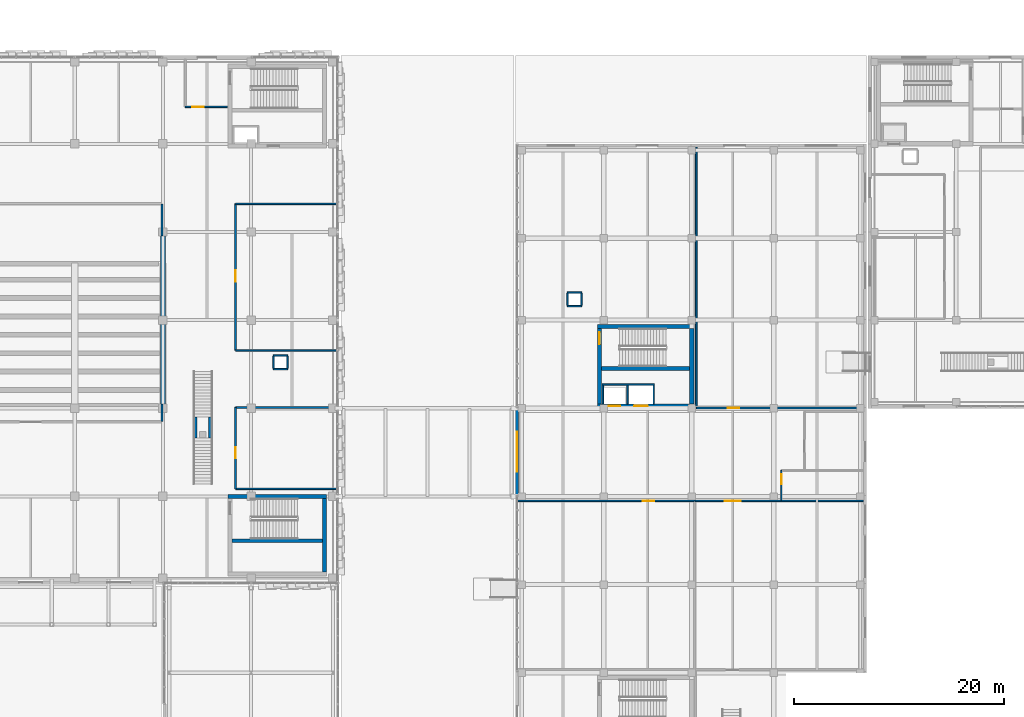
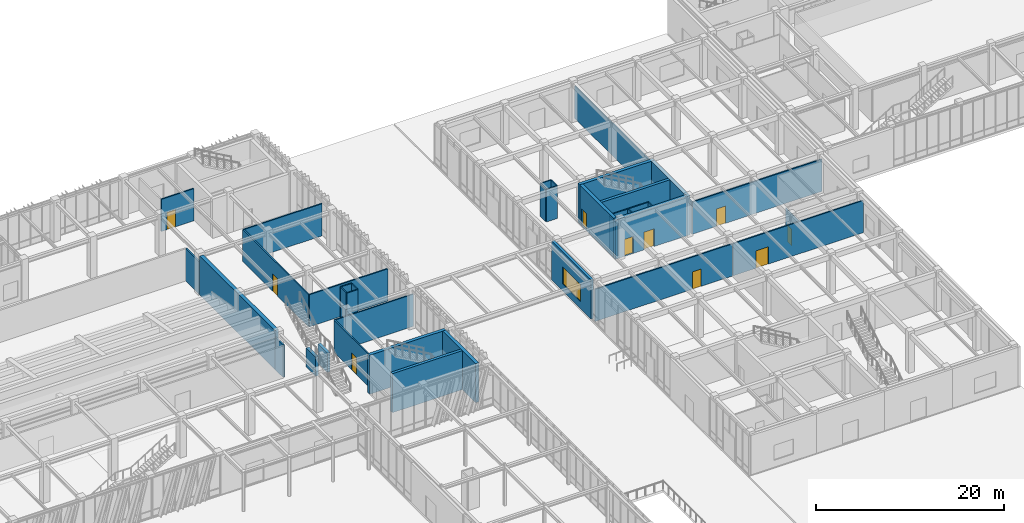
# One storey, part 98 of 122: 38 walls, 10 doors, 1 window, 11 openings.
"""IFC4 building model written with IfcOpenShell, lengths in metres."""

from ifc_helpers import new_model, si_unit, direction, frame, frame_2d, origin, place, context, subcontext, project, spatial, rectangle, extrude, material, layer, layer_set, type_object, element, fill, save


model = new_model("IFC4")

# Units and contexts
model_context = context("Model", 3, precision=1e-05, world=origin(), true_north=direction((0.0, 1.0)))
body_context = subcontext(model_context, "Body", "Model", "MODEL_VIEW")
ifc_project = project(units=[si_unit("LENGTHUNIT", "METRE"), si_unit("AREAUNIT", "SQUARE_METRE"), si_unit("VOLUMEUNIT", "CUBIC_METRE"), si_unit("PLANEANGLEUNIT", "RADIAN"), si_unit("MASSUNIT", "GRAM", prefix="KILO")], contexts=[model_context])

# Site, building, storey
site_placement = place(None, origin())
site = spatial("IfcSite", under=ifc_project, at=site_placement, CompositionType="ELEMENT")
building_placement = place(site_placement, origin())
building = spatial("IfcBuilding", under=site, at=building_placement, Name="Zayran Congress Hotel", CompositionType="ELEMENT")
storey_placement = place(building_placement, origin())
storey = spatial("IfcBuildingStorey", under=building, at=storey_placement, Name="L00", CompositionType="ELEMENT", Elevation=0.0)

# Wall
ifc_material_1 = material(Name="Concrete C32/40", Category="concrete")
ifc_layer_1 = layer(ifc_material_1, 0.449951171875)
ifc_layer_set_1 = layer_set([ifc_layer_1], Name="Concrete C32/40")
wall_type_1 = type_object("IfcWallType", Name="WL-RT-450", PredefinedType="USERDEFINED", material=ifc_layer_set_1)
wall_1_placement = place(storey_placement, frame((75.60009765625, 84.800048828125, 0.0), z_axis=(0.0, 0.0, 1.0), x_axis=(0.0, 1.0, 0.0)))
element("IfcWall", 1, at=wall_1_placement, inside=storey, type_object=wall_type_1, Name="RKWALL-L00-SIDE-E", ObjectType="RETAININGWALL", PredefinedType="USERDEFINED", context=body_context, shape_type="SweptSolid", body=[
    extrude(rectangle(XDim=16.0, YDim=0.449951171875, at=frame_2d((8.0, 0.0))), origin(), (0.0, 0.0, 1.0), 5.080078125),
])

# Wall, opening, window
ifc_material_2 = material(Name="Ajlun white limestone and insulated concrete C32/40", Category="masonry")
ifc_layer_2 = layer(ifc_material_2, 0.300048828125)
ifc_layer_set_2 = layer_set([ifc_layer_2], Name="Ajlun white limestone and insulated concrete C32/40")
wall_type_2 = type_object("IfcWallType", Name="WL-EX-300", PredefinedType="SOLIDWALL", material=ifc_layer_set_2)
wall_2_placement = place(storey_placement, frame((109.35009765625, 76.074951171875, 0.0), z_axis=(0.0, 0.0, 1.0), x_axis=(0.0, 1.0, 0.0)))
wall_2 = element("IfcWall", 2, at=wall_2_placement, inside=storey, type_object=wall_type_2, Name="EW-V4-W-L00-4", PredefinedType="SOLIDWALL", context=body_context, shape_type="SweptSolid", body=[
    extrude(rectangle(XDim=8.381103515625, YDim=0.300048828125, at=frame_2d((4.1904296875, 0.0))), origin(), (0.0, 0.0, 1.0), 5.10009765625),
])
opening_1_placement = place(wall_2_placement, frame((2.291015625, 0.0, 0.89990234375)))
opening_1 = element("IfcOpeningElement", 3, at=opening_1_placement, cuts=wall_2, Name="Opening WN-46", PredefinedType="OPENING", context=body_context, shape_type="SweptSolid", body=[
    extrude(rectangle(XDim=3.800048828125, YDim=2.25, at=frame_2d((1.89990234375, 1.125))), frame((0.0, 0.159912109375, 0.0), z_axis=(0.0, -1.0, 0.0), x_axis=(1.0, 0.0, 0.0)), (0.0, 0.0, 1.0), 0.320068359375),
])
ifc_material_3 = material(Name="Anodised aluminium and low-E insulated glass", Category="aluminium")
window_type = type_object("IfcWindowType", Name="TP-WN-46", PartitioningType="TRIPLE_PANEL_VERTICAL", PredefinedType="WINDOW", material=ifc_material_3)
window_placement = place(opening_1_placement, origin())
window = element("IfcWindow", 4, at=window_placement, inside=storey, type_object=window_type, Name="WIN-V4-0112", OverallHeight=2.25, OverallWidth=3.800048828125, PartitioningType="SINGLE_PANEL", PredefinedType="WINDOW", context=body_context, shape_type="SweptSolid", body=[
    extrude(rectangle(XDim=3.800048828125, YDim=2.25, at=frame_2d((1.89990234375, 1.125))), frame((0.0, 0.030029296875, 0.0), z_axis=(0.0, -1.0, 0.0), x_axis=(1.0, 0.0, 0.0)), (0.0, 0.0, 1.0), 0.06005859375),
])
fill(opening_1, window)

# Walls
ifc_material_4 = material(Name="Concrete C40/50", Category="concrete")
ifc_layer_3 = layer(ifc_material_4, 0.39990234375)
ifc_layer_set_3 = layer_set([ifc_layer_3], Name="Concrete C40/50")
wall_type_3 = type_object("IfcWallType", Name="WL-SH-400", PredefinedType="SHEAR", material=ifc_layer_set_3)
wall_3_placement = place(storey_placement, frame((91.199951171875, 75.985107421875, 0.0), z_axis=(0.0, 0.0, 1.0), x_axis=(-1.0, 0.0, 0.0)))
element("IfcWall", 5, at=wall_3_placement, inside=storey, type_object=wall_type_3, Name="CWALL-C-V1F-L00-N", PredefinedType="SHEAR", context=body_context, shape_type="SweptSolid", body=[
    extrude(rectangle(XDim=9.39990234375, YDim=0.39990234375, at=frame_2d((4.699951171875, 0.0))), origin(), (0.0, 0.0, 1.0), 5.080078125),
])
wall_4_placement = place(storey_placement, frame((91.0, 68.800048828125, 0.0), z_axis=(0.0, 0.0, 1.0), x_axis=(0.0, 1.0, 0.0)))
element("IfcWall", 6, at=wall_4_placement, inside=storey, type_object=wall_type_3, Name="CWALL-C-V1F-L00-E", PredefinedType="SHEAR", context=body_context, shape_type="SweptSolid", body=[
    extrude(rectangle(XDim=7.0, YDim=0.39990234375, at=frame_2d((3.5, 0.0))), origin(), (0.0, 0.0, 1.0), 5.080078125),
])

# Wall, openings, doors
wall_5_placement = place(storey_placement, frame((117.0, 84.60009765625, 0.0), z_axis=(0.0, 0.0, 1.0), x_axis=(1.0, 0.0, 0.0)))
wall_5 = element("IfcWall", 7, at=wall_5_placement, inside=storey, type_object=wall_type_3, Name="CWALL-C-V4N-L00-S", PredefinedType="SHEAR", context=body_context, shape_type="SweptSolid", body=[
    extrude(rectangle(XDim=9.199951171875, YDim=0.39990234375, at=frame_2d((4.60009765625, 0.0))), origin(), (0.0, 0.0, 1.0), 5.080078125),
])
opening_2_placement = place(wall_5_placement, frame((1.10009765625, 0.0, 0.0)))
opening_2 = element("IfcOpeningElement", 8, at=opening_2_placement, cuts=wall_5, Name="Opening LD-PL06", PredefinedType="OPENING", context=body_context, shape_type="SweptSolid", body=[
    extrude(rectangle(XDim=1.10009765625, YDim=2.199951171875, at=frame_2d((0.550048828125, 1.10009765625))), frame((0.0, 0.2099609375, 0.0), z_axis=(0.0, -1.0, 0.0), x_axis=(1.0, 0.0, 0.0)), (0.0, 0.0, 1.0), 0.419921875),
])
opening_3_placement = place(wall_5_placement, frame((3.5, 0.0, 0.0)))
opening_3 = element("IfcOpeningElement", 9, at=opening_3_placement, cuts=wall_5, Name="Opening LD-SV02", PredefinedType="OPENING", context=body_context, shape_type="SweptSolid", body=[
    extrude(rectangle(XDim=1.300048828125, YDim=2.300048828125, at=frame_2d((0.64990234375, 1.14990234375))), frame((0.0, 0.2099609375, 0.0), z_axis=(0.0, -1.0, 0.0), x_axis=(1.0, 0.0, 0.0)), (0.0, 0.0, 1.0), 0.419921875),
])
ifc_material_5 = material(Name="Brushed stainless steel sliding lift landing door", Category="steel")
door_type_1 = type_object("IfcDoorType", Name="TP-DR-LD-01", OperationType="DOUBLE_DOOR_SLIDING", PredefinedType="DOOR", material=ifc_material_5)
door_1_placement = place(opening_2_placement, origin())
door_1 = element("IfcDoor", 10, at=door_1_placement, inside=storey, type_object=door_type_1, Name="Lift PL-06 Sliding Landing Door L00", OperationType="DOUBLE_DOOR_SLIDING", OverallHeight=2.199951171875, OverallWidth=1.10009765625, PredefinedType="DOOR", context=body_context, shape_type="SweptSolid", body=[
    extrude(rectangle(XDim=1.10009765625, YDim=2.199951171875, at=frame_2d((0.550048828125, 1.10009765625))), frame((0.0, 0.02490234375, 0.0), z_axis=(0.0, -1.0, 0.0), x_axis=(1.0, 0.0, 0.0)), (0.0, 0.0, 1.0), 0.050048828125),
])
fill(opening_2, door_1)
ifc_material_6 = material(Name="Heavy-duty stainless steel service lift landing door", Category="steel")
door_type_2 = type_object("IfcDoorType", Name="TP-DR-LD-03", OperationType="DOUBLE_DOOR_SLIDING", PredefinedType="DOOR", material=ifc_material_6)
door_2_placement = place(opening_3_placement, origin())
door_2 = element("IfcDoor", 11, at=door_2_placement, inside=storey, type_object=door_type_2, Name="Lift SV-02 Sliding Landing Door L00", OperationType="DOUBLE_DOOR_SLIDING", OverallHeight=2.300048828125, OverallWidth=1.300048828125, PredefinedType="DOOR", context=body_context, shape_type="SweptSolid", body=[
    extrude(rectangle(XDim=1.300048828125, YDim=2.300048828125, at=frame_2d((0.64990234375, 1.14990234375))), frame((0.0, 0.02490234375, 0.0), z_axis=(0.0, -1.0, 0.0), x_axis=(1.0, 0.0, 0.0)), (0.0, 0.0, 1.0), 0.050048828125),
])
fill(opening_3, door_2)

# Wall
wall_6_placement = place(storey_placement, frame((126.199951171875, 92.18505859375, 0.0), z_axis=(0.0, 0.0, 1.0), x_axis=(-1.0, 0.0, 0.0)))
element("IfcWall", 12, at=wall_6_placement, inside=storey, type_object=wall_type_3, Name="CWALL-C-V4N-L00-N", PredefinedType="SHEAR", context=body_context, shape_type="SweptSolid", body=[
    extrude(rectangle(XDim=9.199951171875, YDim=0.39990234375, at=frame_2d((4.60009765625, 0.0))), origin(), (0.0, 0.0, 1.0), 5.080078125),
])

# Wall, opening, door
wall_7_placement = place(storey_placement, frame((117.199951171875, 92.0, 0.0), z_axis=(0.0, 0.0, 1.0), x_axis=(0.0, -1.0, 0.0)))
wall_7 = element("IfcWall", 13, at=wall_7_placement, inside=storey, type_object=wall_type_3, Name="CWALL-C-V4N-L00-W", PredefinedType="SHEAR", context=body_context, shape_type="SweptSolid", body=[
    extrude(rectangle(XDim=7.199951171875, YDim=0.39990234375, at=frame_2d((3.60009765625, 0.0))), origin(), (0.0, 0.0, 1.0), 5.080078125),
])
opening_4_placement = place(wall_7_placement, frame((0.35009765625, 0.0, 0.0)))
opening_4 = element("IfcOpeningElement", 14, at=opening_4_placement, cuts=wall_7, Name="Opening DR-FD-90", PredefinedType="OPENING", context=body_context, shape_type="SweptSolid", body=[
    extrude(rectangle(XDim=1.14990234375, YDim=2.199951171875, at=frame_2d((0.574951171875, 1.10009765625))), frame((0.0, 0.2099609375, 0.0), z_axis=(0.0, -1.0, 0.0), x_axis=(1.0, 0.0, 0.0)), (0.0, 0.0, 1.0), 0.419921875),
])
ifc_material_7 = material(Name="Painted steel fire door assembly", Category="steel")
door_type_3 = type_object("IfcDoorType", Name="TP-DR-FD-90", OperationType="NOTDEFINED", PredefinedType="DOOR", material=ifc_material_7)
door_3_placement = place(opening_4_placement, origin())
door_3 = element("IfcDoor", 15, at=door_3_placement, inside=storey, type_object=door_type_3, Name="ST-07 Exit Stair Door L00", OperationType="SINGLE_SWING_LEFT", OverallHeight=2.199951171875, OverallWidth=1.14990234375, PredefinedType="DOOR", context=body_context, shape_type="SweptSolid", body=[
    extrude(rectangle(XDim=1.14990234375, YDim=2.199951171875, at=frame_2d((0.574951171875, 1.10009765625))), frame((0.0, 0.02490234375, 0.0), z_axis=(0.0, -1.0, 0.0), x_axis=(1.0, 0.0, 0.0)), (0.0, 0.0, 1.0), 0.050048828125),
])
fill(opening_4, door_3)

# Walls
wall_8_placement = place(storey_placement, frame((126.0, 84.800048828125, 0.0), z_axis=(0.0, 0.0, 1.0), x_axis=(0.0, 1.0, 0.0)))
element("IfcWall", 16, at=wall_8_placement, inside=storey, type_object=wall_type_3, Name="CWALL-C-V4N-L00-E", PredefinedType="SHEAR", context=body_context, shape_type="SweptSolid", body=[
    extrude(rectangle(XDim=7.199951171875, YDim=0.39990234375, at=frame_2d((3.60009765625, 0.0))), origin(), (0.0, 0.0, 1.0), 5.080078125),
])
ifc_layer_4 = layer(ifc_material_4, 0.35009765625)
ifc_layer_set_4 = layer_set([ifc_layer_4], Name="Concrete C40/50")
wall_type_4 = type_object("IfcWallType", Name="WL-SH-350", PredefinedType="SHEAR", material=ifc_layer_set_4)
wall_9_placement = place(storey_placement, frame((82.199951171875, 71.784912109375, 0.0), z_axis=(0.0, 0.0, 1.0), x_axis=(1.0, 0.0, 0.0)))
element("IfcWall", 17, at=wall_9_placement, inside=storey, type_object=wall_type_4, Name="CWALL-C-V1F-L00-SPN", PredefinedType="SHEAR", context=body_context, shape_type="SweptSolid", body=[
    extrude(rectangle(XDim=8.60009765625, YDim=0.35009765625, at=frame_2d((4.300048828125, 0.0))), origin(), (0.0, 0.0, 1.0), 5.080078125),
])
wall_10_placement = place(storey_placement, frame((117.39990234375, 88.18505859375, 0.0), z_axis=(0.0, 0.0, 1.0), x_axis=(1.0, 0.0, 0.0)))
element("IfcWall", 18, at=wall_10_placement, inside=storey, type_object=wall_type_4, Name="CWALL-C-V4N-L00-SPN", PredefinedType="SHEAR", context=body_context, shape_type="SweptSolid", body=[
    extrude(rectangle(XDim=8.400146484375, YDim=0.35009765625, at=frame_2d((4.2001953125, 0.0))), origin(), (0.0, 0.0, 1.0), 5.080078125),
])
for number, where, z_axis, x_axis, name in (
    (19, (80.125, 81.550048828125, 0.0), (0.0, 0.0, 1.0), (0.0, 1.0, 0.0), "VWALL-SUP-02-R"),
    (20, (78.675048828125, 81.550048828125, 0.0), (0.0, 0.0, 1.0), (0.0, 1.0, 0.0), "VWALL-SUP-02-L"),
):
    element("IfcWall", number, at=place(storey_placement, frame(where, z_axis=z_axis, x_axis=x_axis)), inside=storey, type_object=wall_type_4, Name=name, PredefinedType="SHEAR", context=body_context, shape_type="SweptSolid", body=[
        extrude(rectangle(XDim=2.0, YDim=0.35009765625, at=frame_2d((1.0, 0.0))), origin(), (0.0, 0.0, 1.0), 2.5),
    ])
ifc_material_8 = material(Name="Concrete C32/40 acoustic masonry", Category="masonry")
ifc_layer_5 = layer(ifc_material_8, 0.199951171875)
ifc_layer_set_5 = layer_set([ifc_layer_5], Name="Concrete C32/40 acoustic masonry")
wall_type_5 = type_object("IfcWallType", Name="WL-SL-200", PredefinedType="SOLIDWALL", material=ifc_layer_set_5)
wall_11_placement = place(storey_placement, frame((75.5, 83.1201171875, 0.0), z_axis=(0.0, 0.0, 1.0), x_axis=(0.0, 1.0, 0.0)))
element("IfcWall", 21, at=wall_11_placement, inside=storey, type_object=wall_type_5, Name="IW-L00-1654", PredefinedType="SOLIDWALL", context=body_context, shape_type="SweptSolid", body=[
    extrude(rectangle(XDim=1.679931640625, YDim=0.199951171875, at=frame_2d((0.83984375, 0.0))), origin(), (0.0, 0.0, 1.0), 4.179931640625),
])
wall_12_placement = place(storey_placement, frame((75.5, 100.800048828125, 0.0), z_axis=(0.0, 0.0, 1.0), x_axis=(0.0, 1.0, 0.0)))
element("IfcWall", 22, at=wall_12_placement, inside=storey, type_object=wall_type_5, Name="IW-L00-1656", PredefinedType="SOLIDWALL", context=body_context, shape_type="SweptSolid", body=[
    extrude(rectangle(XDim=3.079833984375, YDim=0.199951171875, at=frame_2d((1.5400390625, 0.0))), origin(), (0.0, 0.0, 1.0), 4.179931640625),
])

# Wall, opening, door
ifc_material_9 = material(Name="Acoustic twin-stud gypsum partition", Category="gypsum")
ifc_layer_6 = layer(ifc_material_9, 0.159912109375)
ifc_layer_set_6 = layer_set([ifc_layer_6], Name="Acoustic twin-stud gypsum partition")
wall_type_6 = type_object("IfcWallType", Name="WL-PT-160", PredefinedType="PARTITIONING", material=ifc_layer_set_6)
wall_13_placement = place(storey_placement, frame((82.52001953125, 89.919921875, 0.0), z_axis=(0.0, 0.0, 1.0), x_axis=(0.0, 1.0, 0.0)))
wall_13 = element("IfcWall", 23, at=wall_13_placement, inside=storey, type_object=wall_type_6, Name="IW-L00-0391", PredefinedType="PARTITIONING", context=body_context, shape_type="SweptSolid", body=[
    extrude(rectangle(XDim=13.9599609375, YDim=0.159912109375, at=frame_2d((6.97998046875, 0.0))), origin(), (0.0, 0.0, 1.0), 4.179931640625),
])
opening_5_placement = place(wall_13_placement, frame((6.5458984375, 0.0, 0.0)))
opening_5 = element("IfcOpeningElement", 24, at=opening_5_placement, cuts=wall_13, Name="Opening DR-MT-01", PredefinedType="OPENING", context=body_context, shape_type="SweptSolid", body=[
    extrude(rectangle(XDim=1.080078125, YDim=2.25, at=frame_2d((0.5400390625, 1.125))), frame((0.0, 0.08984375, 0.0), z_axis=(0.0, -1.0, 0.0), x_axis=(1.0, 0.0, 0.0)), (0.0, 0.0, 1.0), 0.179931640625),
])
ifc_material_10 = material(Name="Acoustic timber seminar room door", Category="wood")
door_type_4 = type_object("IfcDoorType", Name="TP-DR-MT-01", OperationType="NOTDEFINED", PredefinedType="DOOR", material=ifc_material_10)
door_4_placement = place(opening_5_placement, origin())
door_4 = element("IfcDoor", 25, at=door_4_placement, inside=storey, type_object=door_type_4, Name="Backstage VIP Dressing Suite Door", OperationType="SINGLE_SWING_RIGHT", OverallHeight=2.25, OverallWidth=1.080078125, PredefinedType="DOOR", context=body_context, shape_type="SweptSolid", body=[
    extrude(rectangle(XDim=1.080078125, YDim=2.25, at=frame_2d((0.5400390625, 1.125))), frame((0.0, 0.02490234375, 0.0), z_axis=(0.0, -1.0, 0.0), x_axis=(1.0, 0.0, 0.0)), (0.0, 0.0, 1.0), 0.050048828125),
])
fill(opening_5, door_4)

wall_14_placement = place(storey_placement, frame((77.719970703125, 113.1201171875, 0.0), z_axis=(0.0, 0.0, 1.0), x_axis=(1.0, 0.0, 0.0)))
wall_14 = element("IfcWall", 26, at=wall_14_placement, inside=storey, type_object=wall_type_6, Name="IW-L00-0394", PredefinedType="PARTITIONING", context=body_context, shape_type="SweptSolid", body=[
    extrude(rectangle(XDim=4.010009765625, YDim=0.159912109375, at=frame_2d((2.0048828125, 0.0))), origin(), (0.0, 0.0, 1.0), 4.179931640625),
])
opening_6_placement = place(wall_14_placement, frame((0.679931640625, 0.0, 0.0)))
opening_6 = element("IfcOpeningElement", 27, at=opening_6_placement, cuts=wall_14, Name="Opening DR-MT-01", PredefinedType="OPENING", context=body_context, shape_type="SweptSolid", body=[
    extrude(rectangle(XDim=1.080078125, YDim=2.25, at=frame_2d((0.5400390625, 1.125))), frame((0.0, 0.08984375, 0.0), z_axis=(0.0, -1.0, 0.0), x_axis=(1.0, 0.0, 0.0)), (0.0, 0.0, 1.0), 0.179931640625),
])
door_5_placement = place(opening_6_placement, origin())
door_5 = element("IfcDoor", 28, at=door_5_placement, inside=storey, type_object=door_type_4, Name="Protected Exit Vestibule ST-04 L00 Door", OperationType="SINGLE_SWING_LEFT", OverallHeight=2.25, OverallWidth=1.080078125, PredefinedType="DOOR", context=body_context, shape_type="SweptSolid", body=[
    extrude(rectangle(XDim=1.080078125, YDim=2.25, at=frame_2d((0.5400390625, 1.125))), frame((0.0, 0.02490234375, 0.0), z_axis=(0.0, -1.0, 0.0), x_axis=(1.0, 0.0, 0.0)), (0.0, 0.0, 1.0), 0.050048828125),
])
fill(opening_6, door_5)

wall_15_placement = place(storey_placement, frame((82.52001953125, 76.719970703125, 0.0), z_axis=(0.0, 0.0, 1.0), x_axis=(0.0, 1.0, 0.0)))
wall_15 = element("IfcWall", 29, at=wall_15_placement, inside=storey, type_object=wall_type_6, Name="IW-L00-0395", PredefinedType="PARTITIONING", context=body_context, shape_type="SweptSolid", body=[
    extrude(rectangle(XDim=7.760009765625, YDim=0.159912109375, at=frame_2d((3.8798828125, 0.0))), origin(), (0.0, 0.0, 1.0), 4.179931640625),
])
opening_7_placement = place(wall_15_placement, frame((2.906005859375, 0.0, 0.0)))
opening_7 = element("IfcOpeningElement", 30, at=opening_7_placement, cuts=wall_15, Name="Opening DR-PL-02", PredefinedType="OPENING", context=body_context, shape_type="SweptSolid", body=[
    extrude(rectangle(XDim=1.06005859375, YDim=2.199951171875, at=frame_2d((0.530029296875, 1.10009765625))), frame((0.0, 0.08984375, 0.0), z_axis=(0.0, -1.0, 0.0), x_axis=(1.0, 0.0, 0.0)), (0.0, 0.0, 1.0), 0.179931640625),
])
ifc_material_11 = material(Name="Painted steel store room fire door", Category="steel")
door_type_5 = type_object("IfcDoorType", Name="TP-DR-PL-02", OperationType="NOTDEFINED", PredefinedType="DOOR", material=ifc_material_11)
door_6_placement = place(opening_7_placement, origin())
door_6 = element("IfcDoor", 31, at=door_6_placement, inside=storey, type_object=door_type_5, Name="Congress Audio Visual Equipment Store Door", OperationType="SINGLE_SWING_RIGHT", OverallHeight=2.199951171875, OverallWidth=1.06005859375, PredefinedType="DOOR", context=body_context, shape_type="SweptSolid", body=[
    extrude(rectangle(XDim=1.06005859375, YDim=2.199951171875, at=frame_2d((0.530029296875, 1.10009765625))), frame((0.0, 0.02490234375, 0.0), z_axis=(0.0, -1.0, 0.0), x_axis=(1.0, 0.0, 0.0)), (0.0, 0.0, 1.0), 0.050048828125),
])
fill(opening_7, door_6)

wall_16_placement = place(storey_placement, frame((126.419921875, 84.419921875, 0.0), z_axis=(0.0, 0.0, 1.0), x_axis=(1.0, 0.0, 0.0)))
wall_16 = element("IfcWall", 32, at=wall_16_placement, inside=storey, type_object=wall_type_6, Name="IW-L00-0405", PredefinedType="PARTITIONING", context=body_context, shape_type="SweptSolid", body=[
    extrude(rectangle(XDim=15.93017578125, YDim=0.159912109375, at=frame_2d((7.965087890625, 0.0))), origin(), (0.0, 0.0, 1.0), 4.179931640625),
])
opening_8_placement = place(wall_16_placement, frame((3.0009765625, 0.0, 0.0)))
opening_8 = element("IfcOpeningElement", 33, at=opening_8_placement, cuts=wall_16, Name="Opening DR-MT-01", PredefinedType="OPENING", context=body_context, shape_type="SweptSolid", body=[
    extrude(rectangle(XDim=1.080078125, YDim=2.25, at=frame_2d((0.5400390625, 1.125))), frame((0.0, 0.08984375, 0.0), z_axis=(0.0, -1.0, 0.0), x_axis=(1.0, 0.0, 0.0)), (0.0, 0.0, 1.0), 0.179931640625),
])
door_7_placement = place(opening_8_placement, origin())
door_7 = element("IfcDoor", 34, at=door_7_placement, inside=storey, type_object=door_type_4, Name="All-Day Dining Restaurant Door", OperationType="SINGLE_SWING_LEFT", OverallHeight=2.25, OverallWidth=1.080078125, PredefinedType="DOOR", context=body_context, shape_type="SweptSolid", body=[
    extrude(rectangle(XDim=1.080078125, YDim=2.25, at=frame_2d((0.5400390625, 1.125))), frame((0.0, 0.02490234375, 0.0), z_axis=(0.0, -1.0, 0.0), x_axis=(1.0, 0.0, 0.0)), (0.0, 0.0, 1.0), 0.050048828125),
])
fill(opening_8, door_7)

wall_17_placement = place(storey_placement, frame((109.360107421875, 75.580078125, 0.0), z_axis=(0.0, 0.0, 1.0), x_axis=(1.0, 0.0, 0.0)))
wall_17 = element("IfcWall", 35, at=wall_17_placement, inside=storey, type_object=wall_type_6, Name="IW-L00-0406", PredefinedType="PARTITIONING", context=body_context, shape_type="SweptSolid", body=[
    extrude(rectangle(XDim=16.919921875, YDim=0.159912109375, at=frame_2d((8.4599609375, 0.0))), origin(), (0.0, 0.0, 1.0), 4.179931640625),
])
opening_9_placement = place(wall_17_placement, frame((11.9599609375, 0.0, 0.0)))
opening_9 = element("IfcOpeningElement", 36, at=opening_9_placement, cuts=wall_17, Name="Opening DR-MT-01", PredefinedType="OPENING", context=body_context, shape_type="SweptSolid", body=[
    extrude(rectangle(XDim=1.080078125, YDim=2.25, at=frame_2d((0.5400390625, 1.125))), frame((0.0, 0.08984375, 0.0), z_axis=(0.0, -1.0, 0.0), x_axis=(1.0, 0.0, 0.0)), (0.0, 0.0, 1.0), 0.179931640625),
])
door_8_placement = place(opening_9_placement, origin())
door_8 = element("IfcDoor", 37, at=door_8_placement, inside=storey, type_object=door_type_4, Name="Wadi Passage Espresso Cafe Door", OperationType="SINGLE_SWING_RIGHT", OverallHeight=2.25, OverallWidth=1.080078125, PredefinedType="DOOR", context=body_context, shape_type="SweptSolid", body=[
    extrude(rectangle(XDim=1.080078125, YDim=2.25, at=frame_2d((0.5400390625, 1.125))), frame((0.0, 0.02490234375, 0.0), z_axis=(0.0, -1.0, 0.0), x_axis=(1.0, 0.0, 0.0)), (0.0, 0.0, 1.0), 0.050048828125),
])
fill(opening_9, door_8)

wall_18_placement = place(storey_placement, frame((126.320068359375, 75.580078125, 0.0), z_axis=(0.0, 0.0, 1.0), x_axis=(1.0, 0.0, 0.0)))
wall_18 = element("IfcWall", 38, at=wall_18_placement, inside=storey, type_object=wall_type_6, Name="IW-L00-0407", PredefinedType="PARTITIONING", context=body_context, shape_type="SweptSolid", body=[
    extrude(rectangle(XDim=16.030029296875, YDim=0.159912109375, at=frame_2d((8.01513671875, 0.0))), origin(), (0.0, 0.0, 1.0), 4.179931640625),
])
opening_10_placement = place(wall_18_placement, frame((2.80908203125, 0.0, 0.0)))
opening_10 = element("IfcOpeningElement", 39, at=opening_10_placement, cuts=wall_18, Name="Opening DR-KT-01", PredefinedType="OPENING", context=body_context, shape_type="SweptSolid", body=[
    extrude(rectangle(XDim=1.550048828125, YDim=2.25, at=frame_2d((0.77490234375, 1.125))), frame((0.0, 0.08984375, 0.0), z_axis=(0.0, -1.0, 0.0), x_axis=(1.0, 0.0, 0.0)), (0.0, 0.0, 1.0), 0.179931640625),
])
ifc_material_12 = material(Name="Stainless steel banquet kitchen double-action door", Category="steel")
door_type_6 = type_object("IfcDoorType", Name="TP-DR-KT-01", OperationType="DOUBLE_DOOR_DOUBLE_SWING", PredefinedType="DOOR", material=ifc_material_12)
door_9_placement = place(opening_10_placement, origin())
door_9 = element("IfcDoor", 40, at=door_9_placement, inside=storey, type_object=door_type_6, Name="Central Kitchen L00 Door", OperationType="DOUBLE_DOOR_DOUBLE_SWING", OverallHeight=2.25, OverallWidth=1.550048828125, PredefinedType="DOOR", context=body_context, shape_type="SweptSolid", body=[
    extrude(rectangle(XDim=1.550048828125, YDim=2.25, at=frame_2d((0.77490234375, 1.125))), frame((0.0, 0.02490234375, 0.0), z_axis=(0.0, -1.0, 0.0), x_axis=(1.0, 0.0, 0.0)), (0.0, 0.0, 1.0), 0.050048828125),
])
fill(opening_10, door_9)

# Walls
for number, where, z_axis, x_axis, name in (
    (41, (82.52001953125, 89.919921875, 0.0), (0.0, 0.0, 1.0), (1.0, 0.0, 0.0), "IW-L00-1660"),
    (42, (82.52001953125, 103.8798828125, 0.0), (0.0, 0.0, 1.0), (1.0, 0.0, 0.0), "IW-L00-1661"),
    (43, (82.52001953125, 76.719970703125, 0.0), (0.0, 0.0, 1.0), (1.0, 0.0, 0.0), "IW-L00-1665"),
    (44, (82.52001953125, 84.47998046875, 0.0), (0.0, 0.0, 1.0), (1.0, 0.0, 0.0), "IW-L00-1666"),
):
    element("IfcWall", number, at=place(storey_placement, frame(where, z_axis=z_axis, x_axis=x_axis)), inside=storey, type_object=wall_type_6, Name=name, PredefinedType="PARTITIONING", context=body_context, shape_type="SweptSolid", body=[
        extrude(rectangle(XDim=9.639892578125, YDim=0.159912109375, at=frame_2d((4.81982421875, 0.0))), origin(), (0.0, 0.0, 1.0), 4.179931640625),
    ])
wall_19_placement = place(storey_placement, frame((126.419921875, 84.419921875, 0.0), z_axis=(0.0, 0.0, 1.0), x_axis=(0.0, 1.0, 0.0)))
element("IfcWall", 45, at=wall_19_placement, inside=storey, type_object=wall_type_6, Name="IW-L00-1681", PredefinedType="PARTITIONING", context=body_context, shape_type="SweptSolid", body=[
    extrude(rectangle(XDim=24.880126953125, YDim=0.159912109375, at=frame_2d((12.43994140625, 0.0))), origin(), (0.0, 0.0, 1.0), 4.179931640625),
])
ifc_material_13 = material(Name="Hospitality guestroom acoustic partition", Category="gypsum")
ifc_layer_7 = layer(ifc_material_13, 0.139892578125)
ifc_layer_set_7 = layer_set([ifc_layer_7], Name="Hospitality guestroom acoustic partition")
wall_type_7 = type_object("IfcWallType", Name="WL-PT-140", PredefinedType="PARTITIONING", material=ifc_layer_set_7)
for number, where, z_axis, x_axis, name in (
    (46, (117.530029296875, 84.800048828125, 0.0), (0.0, 0.0, 1.0), (0.0, 1.0, 0.0), "LSHW-C-V4N-L00-W"),
    (47, (119.85009765625, 84.800048828125, 0.0), (0.0, 0.0, 1.0), (0.0, 1.0, 0.0), "LSHW-C-V4N-L00-DIV1"),
    (48, (122.3701171875, 84.800048828125, 0.0), (0.0, 0.0, 1.0), (0.0, 1.0, 0.0), "LSHW-C-V4N-L00-E"),
):
    element("IfcWall", number, at=place(storey_placement, frame(where, z_axis=z_axis, x_axis=x_axis)), inside=storey, type_object=wall_type_7, Name=name, PredefinedType="PARTITIONING", context=body_context, shape_type="SweptSolid", body=[
        extrude(rectangle(XDim=1.800048828125, YDim=0.139892578125, at=frame_2d((0.89990234375, 0.0))), origin(), (0.0, 0.0, 1.0), 4.22998046875),
    ])
wall_20_placement = place(storey_placement, frame((117.4599609375, 86.669921875, 0.0), z_axis=(0.0, 0.0, 1.0), x_axis=(1.0, 0.0, 0.0)))
element("IfcWall", 49, at=wall_20_placement, inside=storey, type_object=wall_type_7, Name="LSHW-C-V4N-L00-N", PredefinedType="PARTITIONING", context=body_context, shape_type="SweptSolid", body=[
    extrude(rectangle(XDim=4.97998046875, YDim=0.139892578125, at=frame_2d((2.489990234375, 0.0))), origin(), (0.0, 0.0, 1.0), 4.22998046875),
])
for number, where, z_axis, x_axis, name in (
    (50, (86.1298828125, 88.1298828125, 0.0), (0.0, 0.0, 1.0), (1.0, 0.0, 0.0), "RSWL-V1-L00-002-S"),
    (51, (87.489990234375, 89.449951171875, 0.0), (0.0, 0.0, 1.0), (-1.0, 0.0, 0.0), "RSWL-V1-L00-002-N"),
):
    element("IfcWall", number, at=place(storey_placement, frame(where, z_axis=z_axis, x_axis=x_axis)), inside=storey, type_object=wall_type_7, Name=name, PredefinedType="PARTITIONING", context=body_context, shape_type="SweptSolid", body=[
        extrude(rectangle(XDim=1.360107421875, YDim=0.139892578125, at=frame_2d((0.68017578125, 0.0))), origin(), (0.0, 0.0, 1.0), 4.199951171875),
    ])
for number, where, z_axis, x_axis, name in (
    (52, (86.1298828125, 89.3798828125, 0.0), (0.0, 0.0, 1.0), (0.0, -1.0, 0.0), "RSWL-V1-L00-002-W"),
    (53, (87.489990234375, 88.199951171875, 0.0), (0.0, 0.0, 1.0), (0.0, 1.0, 0.0), "RSWL-V1-L00-002-E"),
):
    element("IfcWall", number, at=place(storey_placement, frame(where, z_axis=z_axis, x_axis=x_axis)), inside=storey, type_object=wall_type_7, Name=name, PredefinedType="PARTITIONING", context=body_context, shape_type="SweptSolid", body=[
        extrude(rectangle(XDim=1.179931640625, YDim=0.139892578125, at=frame_2d((0.58984375, 0.0))), origin(), (0.0, 0.0, 1.0), 4.199951171875),
    ])
for number, where, z_axis, x_axis, name in (
    (54, (114.1298828125, 94.1298828125, 0.0), (0.0, 0.0, 1.0), (1.0, 0.0, 0.0), "RSWL-V4-L00-016-S"),
    (55, (115.489990234375, 95.449951171875, 0.0), (0.0, 0.0, 1.0), (-1.0, 0.0, 0.0), "RSWL-V4-L00-016-N"),
):
    element("IfcWall", number, at=place(storey_placement, frame(where, z_axis=z_axis, x_axis=x_axis)), inside=storey, type_object=wall_type_7, Name=name, PredefinedType="PARTITIONING", context=body_context, shape_type="SweptSolid", body=[
        extrude(rectangle(XDim=1.360107421875, YDim=0.139892578125, at=frame_2d((0.68017578125, 0.0))), origin(), (0.0, 0.0, 1.0), 4.199951171875),
    ])
for number, where, z_axis, x_axis, name in (
    (56, (114.1298828125, 95.3798828125, 0.0), (0.0, 0.0, 1.0), (0.0, -1.0, 0.0), "RSWL-V4-L00-016-W"),
    (57, (115.489990234375, 94.199951171875, 0.0), (0.0, 0.0, 1.0), (0.0, 1.0, 0.0), "RSWL-V4-L00-016-E"),
):
    element("IfcWall", number, at=place(storey_placement, frame(where, z_axis=z_axis, x_axis=x_axis)), inside=storey, type_object=wall_type_7, Name=name, PredefinedType="PARTITIONING", context=body_context, shape_type="SweptSolid", body=[
        extrude(rectangle(XDim=1.179931640625, YDim=0.139892578125, at=frame_2d((0.58984375, 0.0))), origin(), (0.0, 0.0, 1.0), 4.199951171875),
    ])

# Wall, opening, door
ifc_material_14 = material(Name="Moisture-resistant bathroom partition", Category="gypsum")
ifc_layer_8 = layer(ifc_material_14, 0.1201171875)
ifc_layer_set_8 = layer_set([ifc_layer_8], Name="Moisture-resistant bathroom partition")
wall_type_8 = type_object("IfcWallType", Name="WL-PT-120", PredefinedType="PARTITIONING", material=ifc_layer_set_8)
wall_21_placement = place(storey_placement, frame((134.530029296875, 75.6201171875, 0.0), z_axis=(0.0, 0.0, 1.0), x_axis=(0.0, 1.0, 0.0)))
wall_21 = element("IfcWall", 58, at=wall_21_placement, inside=storey, type_object=wall_type_8, Name="IW-L00-0343", PredefinedType="PARTITIONING", context=body_context, shape_type="SweptSolid", body=[
    extrude(rectangle(XDim=2.85986328125, YDim=0.1201171875, at=frame_2d((1.429931640625, 0.0))), origin(), (0.0, 0.0, 1.0), 4.179931640625),
])
opening_11_placement = place(wall_21_placement, frame((1.56005859375, 0.0, 0.0)))
opening_11 = element("IfcOpeningElement", 59, at=opening_11_placement, cuts=wall_21, Name="Opening DR-WC-01", PredefinedType="OPENING", context=body_context, shape_type="SweptSolid", body=[
    extrude(rectangle(XDim=0.919921875, YDim=2.14990234375, at=frame_2d((0.4599609375, 1.074951171875))), frame((0.0, 0.070068359375, 0.0), z_axis=(0.0, -1.0, 0.0), x_axis=(1.0, 0.0, 0.0)), (0.0, 0.0, 1.0), 0.14013671875),
])
ifc_material_15 = material(Name="Laminated timber public washroom door", Category="wood")
door_type_7 = type_object("IfcDoorType", Name="TP-DR-WC-01", OperationType="NOTDEFINED", PredefinedType="DOOR", material=ifc_material_15)
door_10_placement = place(opening_11_placement, origin())
door_10 = element("IfcDoor", 60, at=door_10_placement, inside=storey, type_object=door_type_7, Name="Public WC L00 Breakout Door", OperationType="SINGLE_SWING_RIGHT", OverallHeight=2.14990234375, OverallWidth=0.919921875, PredefinedType="DOOR", context=body_context, shape_type="SweptSolid", body=[
    extrude(rectangle(XDim=0.919921875, YDim=2.14990234375, at=frame_2d((0.4599609375, 1.074951171875))), frame((0.0, 0.02490234375, 0.0), z_axis=(0.0, -1.0, 0.0), x_axis=(1.0, 0.0, 0.0)), (0.0, 0.0, 1.0), 0.050048828125),
])
fill(opening_11, door_10)

save(model, "model.ifc")
